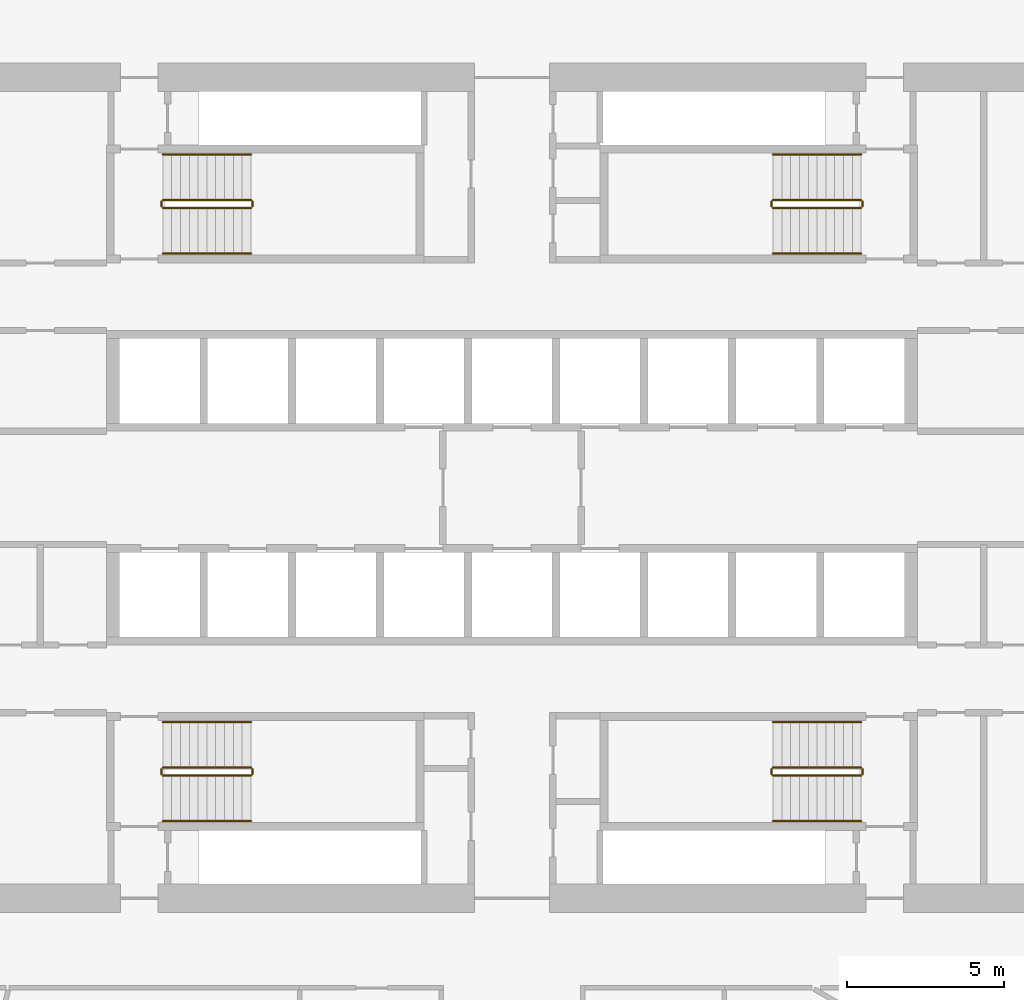
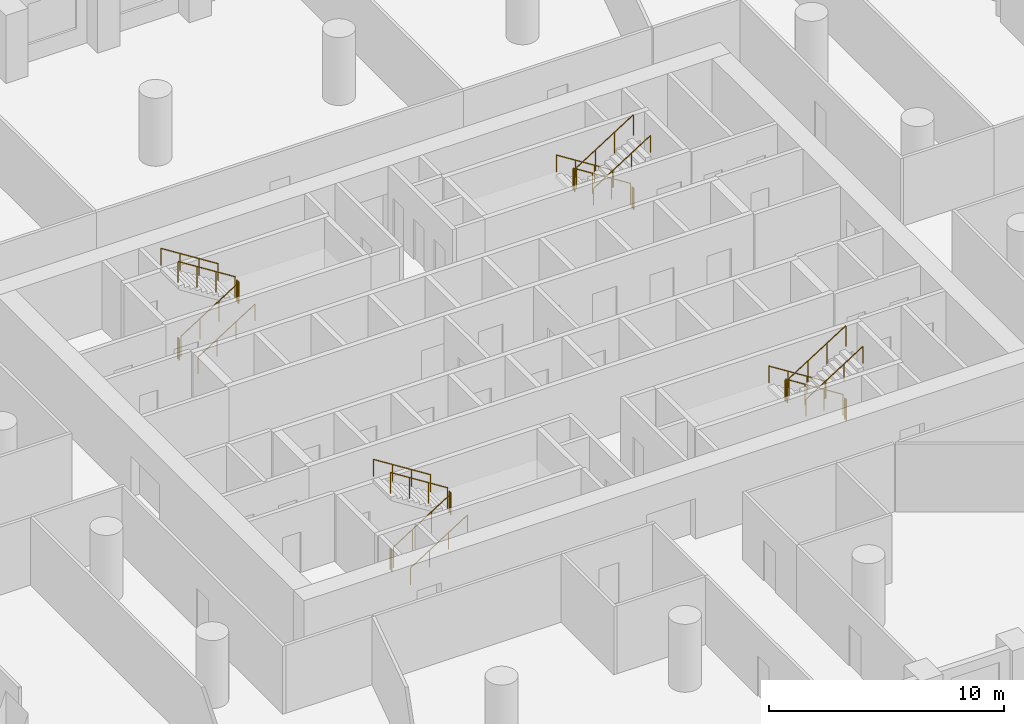
# One storey, part 10 of 10: 24 railings.
"""IFC4 building model written with IfcOpenShell, lengths in metres."""

from ifc_helpers import new_model, si_unit, direction, frame, origin, origin_2d, place, context, subcontext, project, spatial, circle, extrude, material, type_object, element, save


model = new_model("IFC4")

# Units and contexts
model_context = context("Model", 3, precision=1e-05, world=origin(), true_north=direction((0.0, 1.0)))
body_context = subcontext(model_context, "Body", "Model", "MODEL_VIEW")
ifc_project = project(units=[si_unit("LENGTHUNIT", "METRE"), si_unit("AREAUNIT", "SQUARE_METRE"), si_unit("VOLUMEUNIT", "CUBIC_METRE"), si_unit("PLANEANGLEUNIT", "RADIAN"), si_unit("MASSUNIT", "GRAM", prefix="KILO")], contexts=[model_context])

# Site, building, storey
site_placement = place(None, origin())
site = spatial("IfcSite", under=ifc_project, at=site_placement, CompositionType="ELEMENT")
building_placement = place(site_placement, origin())
building = spatial("IfcBuilding", under=site, at=building_placement, Name="Dhurran Vertical Campus", CompositionType="ELEMENT")
storey_placement = place(building_placement, frame((0.0, 0.0, 65.10009765625)))
storey = spatial("IfcBuildingStorey", under=building, at=storey_placement, Name="L15", CompositionType="ELEMENT", Elevation=65.10009765625)

# Railings
ifc_material_1 = material(Name="Stainless steel balustrade", Category="steel")
railing_type_1 = type_object("IfcRailingType", Name="co-RL-GUARD-1100", PredefinedType="GUARDRAIL", material=ifc_material_1)
railing_1_placement = place(storey_placement, frame((-11.10009765625, 8.89990234375, 0.17724609375)))
element("IfcRailing", 1, at=railing_1_placement, inside=storey, type_object=railing_type_1, Name="L15 ST1 stair guard 1", PredefinedType="GUARDRAIL", context=body_context, shape_type="SweptSolid", body=[
    extrude(circle(Radius=0.02392578125, at=origin_2d()), frame((0.0, 0.0, 1.076171875), z_axis=(0.844908973607, 0.0, 0.534910110503), x_axis=(0.0, 1.0, 0.0)), (0.0, 0.0, 1.0), 3.31396484375),
    extrude(circle(Radius=0.02099609375, at=origin_2d()), origin(), (0.0, 0.0, 1.0), 1.052001953125),
    extrude(circle(Radius=0.02099609375, at=origin_2d()), frame((0.933349609375, 0.0, 0.5908203125)), (0.0, 0.0, 1.0), 1.052001953125),
    extrude(circle(Radius=0.02099609375, at=origin_2d()), frame((1.86669921875, 0.0, 1.181884765625)), (0.0, 0.0, 1.0), 1.052001953125),
    extrude(circle(Radius=0.02099609375, at=origin_2d()), frame((2.800048828125, 0.0, 1.772705078125)), (0.0, 0.0, 1.0), 1.052001953125),
])
railing_2_placement = place(storey_placement, frame((-8.25, 8.949951171875, 1.949951171875)))
element("IfcRailing", 2, at=railing_2_placement, inside=storey, type_object=railing_type_1, Name="L15 ST1 stair guard 2", PredefinedType="GUARDRAIL", context=body_context, shape_type="SweptSolid", body=[
    extrude(circle(Radius=0.02392578125, at=origin_2d()), frame((0.0, 0.0, 1.076171875), z_axis=(0.0, 1.0, 0.0), x_axis=(-1.0, 0.0, 0.0)), (0.0, 0.0, 1.0), 0.150146484375),
    extrude(circle(Radius=0.02099609375, at=origin_2d()), origin(), (0.0, 0.0, 1.0), 1.052001953125),
    extrude(circle(Radius=0.02099609375, at=origin_2d()), frame((0.0, 0.150146484375, 0.0)), (0.0, 0.0, 1.0), 1.052001953125),
])
railing_3_placement = place(storey_placement, frame((-8.300048828125, 9.14990234375, 2.127197265625)))
element("IfcRailing", 3, at=railing_3_placement, inside=storey, type_object=railing_type_1, Name="L15 ST1 stair guard 3", PredefinedType="GUARDRAIL", context=body_context, shape_type="SweptSolid", body=[
    extrude(circle(Radius=0.02392578125, at=origin_2d()), frame((0.0, 0.0, 1.076171875), z_axis=(-0.844908973607, 0.0, 0.534910110503), x_axis=(0.0, -1.0, 0.0)), (0.0, 0.0, 1.0), 3.31396484375),
    extrude(circle(Radius=0.02099609375, at=origin_2d()), origin(), (0.0, 0.0, 1.0), 1.052001953125),
    extrude(circle(Radius=0.02099609375, at=origin_2d()), frame((-0.933349609375, 0.0, 0.5908203125)), (0.0, 0.0, 1.0), 1.052001953125),
    extrude(circle(Radius=0.02099609375, at=origin_2d()), frame((-1.86669921875, 0.0, 1.181884765625)), (0.0, 0.0, 1.0), 1.052001953125),
    extrude(circle(Radius=0.02099609375, at=origin_2d()), frame((-2.800048828125, 0.0, 1.772705078125)), (0.0, 0.0, 1.0), 1.052001953125),
])
railing_4_placement = place(storey_placement, frame((-11.14990234375, 8.949951171875, 0.0)))
element("IfcRailing", 4, at=railing_4_placement, inside=storey, type_object=railing_type_1, Name="L15 ST1 stair guard 4", PredefinedType="GUARDRAIL", context=body_context, shape_type="SweptSolid", body=[
    extrude(circle(Radius=0.02392578125, at=origin_2d()), frame((0.0, 0.0, 1.076171875), z_axis=(0.0, 1.0, 0.0), x_axis=(-1.0, 0.0, 0.0)), (0.0, 0.0, 1.0), 0.150146484375),
    extrude(circle(Radius=0.02099609375, at=origin_2d()), origin(), (0.0, 0.0, 1.0), 1.052001953125),
    extrude(circle(Radius=0.02099609375, at=origin_2d()), frame((0.0, 0.150146484375, 0.0)), (0.0, 0.0, 1.0), 1.052001953125),
])
railing_5_placement = place(storey_placement, frame((11.10009765625, 9.14990234375, 0.17724609375)))
element("IfcRailing", 5, at=railing_5_placement, inside=storey, type_object=railing_type_1, Name="L15 ST2 stair guard 1", PredefinedType="GUARDRAIL", context=body_context, shape_type="SweptSolid", body=[
    extrude(circle(Radius=0.02392578125, at=origin_2d()), frame((0.0, 0.0, 1.076171875), z_axis=(-0.844908973607, 0.0, 0.534910110503), x_axis=(0.0, -1.0, 0.0)), (0.0, 0.0, 1.0), 3.31396484375),
    extrude(circle(Radius=0.02099609375, at=origin_2d()), origin(), (0.0, 0.0, 1.0), 1.052001953125),
    extrude(circle(Radius=0.02099609375, at=origin_2d()), frame((-0.933349609375, 0.0, 0.5908203125)), (0.0, 0.0, 1.0), 1.052001953125),
    extrude(circle(Radius=0.02099609375, at=origin_2d()), frame((-1.86669921875, 0.0, 1.181884765625)), (0.0, 0.0, 1.0), 1.052001953125),
    extrude(circle(Radius=0.02099609375, at=origin_2d()), frame((-2.800048828125, 0.0, 1.772705078125)), (0.0, 0.0, 1.0), 1.052001953125),
])
railing_6_placement = place(storey_placement, frame((8.25, 9.10009765625, 1.949951171875)))
element("IfcRailing", 6, at=railing_6_placement, inside=storey, type_object=railing_type_1, Name="L15 ST2 stair guard 2", PredefinedType="GUARDRAIL", context=body_context, shape_type="SweptSolid", body=[
    extrude(circle(Radius=0.02392578125, at=origin_2d()), frame((0.0, 0.0, 1.076171875), z_axis=(0.0, -1.0, 0.0), x_axis=(1.0, 0.0, 0.0)), (0.0, 0.0, 1.0), 0.150146484375),
    extrude(circle(Radius=0.02099609375, at=origin_2d()), origin(), (0.0, 0.0, 1.0), 1.052001953125),
    extrude(circle(Radius=0.02099609375, at=origin_2d()), frame((0.0, -0.150146484375, 0.0)), (0.0, 0.0, 1.0), 1.052001953125),
])
railing_7_placement = place(storey_placement, frame((8.300048828125, 8.89990234375, 2.127197265625)))
element("IfcRailing", 7, at=railing_7_placement, inside=storey, type_object=railing_type_1, Name="L15 ST2 stair guard 3", PredefinedType="GUARDRAIL", context=body_context, shape_type="SweptSolid", body=[
    extrude(circle(Radius=0.02392578125, at=origin_2d()), frame((0.0, 0.0, 1.076171875), z_axis=(0.844908973607, 0.0, 0.534910110503), x_axis=(0.0, 1.0, 0.0)), (0.0, 0.0, 1.0), 3.31396484375),
    extrude(circle(Radius=0.02099609375, at=origin_2d()), origin(), (0.0, 0.0, 1.0), 1.052001953125),
    extrude(circle(Radius=0.02099609375, at=origin_2d()), frame((0.933349609375, 0.0, 0.5908203125)), (0.0, 0.0, 1.0), 1.052001953125),
    extrude(circle(Radius=0.02099609375, at=origin_2d()), frame((1.86669921875, 0.0, 1.181884765625)), (0.0, 0.0, 1.0), 1.052001953125),
    extrude(circle(Radius=0.02099609375, at=origin_2d()), frame((2.800048828125, 0.0, 1.772705078125)), (0.0, 0.0, 1.0), 1.052001953125),
])
railing_8_placement = place(storey_placement, frame((11.14990234375, 9.10009765625, 0.0)))
element("IfcRailing", 8, at=railing_8_placement, inside=storey, type_object=railing_type_1, Name="L15 ST2 stair guard 4", PredefinedType="GUARDRAIL", context=body_context, shape_type="SweptSolid", body=[
    extrude(circle(Radius=0.02392578125, at=origin_2d()), frame((0.0, 0.0, 1.076171875), z_axis=(0.0, -1.0, 0.0), x_axis=(1.0, 0.0, 0.0)), (0.0, 0.0, 1.0), 0.150146484375),
    extrude(circle(Radius=0.02099609375, at=origin_2d()), origin(), (0.0, 0.0, 1.0), 1.052001953125),
    extrude(circle(Radius=0.02099609375, at=origin_2d()), frame((0.0, -0.150146484375, 0.0)), (0.0, 0.0, 1.0), 1.052001953125),
])
railing_9_placement = place(storey_placement, frame((-11.10009765625, -9.14990234375, 0.17724609375)))
element("IfcRailing", 9, at=railing_9_placement, inside=storey, type_object=railing_type_1, Name="L15 ST3 stair guard 1", PredefinedType="GUARDRAIL", context=body_context, shape_type="SweptSolid", body=[
    extrude(circle(Radius=0.02392578125, at=origin_2d()), frame((0.0, 0.0, 1.076171875), z_axis=(0.844908973607, 0.0, 0.534910110503), x_axis=(0.0, 1.0, 0.0)), (0.0, 0.0, 1.0), 3.31396484375),
    extrude(circle(Radius=0.02099609375, at=origin_2d()), origin(), (0.0, 0.0, 1.0), 1.052001953125),
    extrude(circle(Radius=0.02099609375, at=origin_2d()), frame((0.933349609375, 0.0, 0.5908203125)), (0.0, 0.0, 1.0), 1.052001953125),
    extrude(circle(Radius=0.02099609375, at=origin_2d()), frame((1.86669921875, 0.0, 1.181884765625)), (0.0, 0.0, 1.0), 1.052001953125),
    extrude(circle(Radius=0.02099609375, at=origin_2d()), frame((2.800048828125, 0.0, 1.772705078125)), (0.0, 0.0, 1.0), 1.052001953125),
])
railing_10_placement = place(storey_placement, frame((-8.25, -9.10009765625, 1.949951171875)))
element("IfcRailing", 10, at=railing_10_placement, inside=storey, type_object=railing_type_1, Name="L15 ST3 stair guard 2", PredefinedType="GUARDRAIL", context=body_context, shape_type="SweptSolid", body=[
    extrude(circle(Radius=0.02392578125, at=origin_2d()), frame((0.0, 0.0, 1.076171875), z_axis=(0.0, 1.0, 0.0), x_axis=(-1.0, 0.0, 0.0)), (0.0, 0.0, 1.0), 0.150146484375),
    extrude(circle(Radius=0.02099609375, at=origin_2d()), origin(), (0.0, 0.0, 1.0), 1.052001953125),
    extrude(circle(Radius=0.02099609375, at=origin_2d()), frame((0.0, 0.150146484375, 0.0)), (0.0, 0.0, 1.0), 1.052001953125),
])
railing_11_placement = place(storey_placement, frame((-8.300048828125, -8.89990234375, 2.127197265625)))
element("IfcRailing", 11, at=railing_11_placement, inside=storey, type_object=railing_type_1, Name="L15 ST3 stair guard 3", PredefinedType="GUARDRAIL", context=body_context, shape_type="SweptSolid", body=[
    extrude(circle(Radius=0.02392578125, at=origin_2d()), frame((0.0, 0.0, 1.076171875), z_axis=(-0.844908973607, 0.0, 0.534910110503), x_axis=(0.0, -1.0, 0.0)), (0.0, 0.0, 1.0), 3.31396484375),
    extrude(circle(Radius=0.02099609375, at=origin_2d()), origin(), (0.0, 0.0, 1.0), 1.052001953125),
    extrude(circle(Radius=0.02099609375, at=origin_2d()), frame((-0.933349609375, 0.0, 0.5908203125)), (0.0, 0.0, 1.0), 1.052001953125),
    extrude(circle(Radius=0.02099609375, at=origin_2d()), frame((-1.86669921875, 0.0, 1.181884765625)), (0.0, 0.0, 1.0), 1.052001953125),
    extrude(circle(Radius=0.02099609375, at=origin_2d()), frame((-2.800048828125, 0.0, 1.772705078125)), (0.0, 0.0, 1.0), 1.052001953125),
])
railing_12_placement = place(storey_placement, frame((-11.14990234375, -9.10009765625, 0.0)))
element("IfcRailing", 12, at=railing_12_placement, inside=storey, type_object=railing_type_1, Name="L15 ST3 stair guard 4", PredefinedType="GUARDRAIL", context=body_context, shape_type="SweptSolid", body=[
    extrude(circle(Radius=0.02392578125, at=origin_2d()), frame((0.0, 0.0, 1.076171875), z_axis=(0.0, 1.0, 0.0), x_axis=(-1.0, 0.0, 0.0)), (0.0, 0.0, 1.0), 0.150146484375),
    extrude(circle(Radius=0.02099609375, at=origin_2d()), origin(), (0.0, 0.0, 1.0), 1.052001953125),
    extrude(circle(Radius=0.02099609375, at=origin_2d()), frame((0.0, 0.150146484375, 0.0)), (0.0, 0.0, 1.0), 1.052001953125),
])
railing_13_placement = place(storey_placement, frame((11.10009765625, -8.89990234375, 0.17724609375)))
element("IfcRailing", 13, at=railing_13_placement, inside=storey, type_object=railing_type_1, Name="L15 ST4 stair guard 1", PredefinedType="GUARDRAIL", context=body_context, shape_type="SweptSolid", body=[
    extrude(circle(Radius=0.02392578125, at=origin_2d()), frame((0.0, 0.0, 1.076171875), z_axis=(-0.844908973607, 0.0, 0.534910110503), x_axis=(0.0, -1.0, 0.0)), (0.0, 0.0, 1.0), 3.31396484375),
    extrude(circle(Radius=0.02099609375, at=origin_2d()), origin(), (0.0, 0.0, 1.0), 1.052001953125),
    extrude(circle(Radius=0.02099609375, at=origin_2d()), frame((-0.933349609375, 0.0, 0.5908203125)), (0.0, 0.0, 1.0), 1.052001953125),
    extrude(circle(Radius=0.02099609375, at=origin_2d()), frame((-1.86669921875, 0.0, 1.181884765625)), (0.0, 0.0, 1.0), 1.052001953125),
    extrude(circle(Radius=0.02099609375, at=origin_2d()), frame((-2.800048828125, 0.0, 1.772705078125)), (0.0, 0.0, 1.0), 1.052001953125),
])
railing_14_placement = place(storey_placement, frame((8.25, -8.949951171875, 1.949951171875)))
element("IfcRailing", 14, at=railing_14_placement, inside=storey, type_object=railing_type_1, Name="L15 ST4 stair guard 2", PredefinedType="GUARDRAIL", context=body_context, shape_type="SweptSolid", body=[
    extrude(circle(Radius=0.02392578125, at=origin_2d()), frame((0.0, 0.0, 1.076171875), z_axis=(0.0, -1.0, 0.0), x_axis=(1.0, 0.0, 0.0)), (0.0, 0.0, 1.0), 0.150146484375),
    extrude(circle(Radius=0.02099609375, at=origin_2d()), origin(), (0.0, 0.0, 1.0), 1.052001953125),
    extrude(circle(Radius=0.02099609375, at=origin_2d()), frame((0.0, -0.150146484375, 0.0)), (0.0, 0.0, 1.0), 1.052001953125),
])
railing_15_placement = place(storey_placement, frame((8.300048828125, -9.14990234375, 2.127197265625)))
element("IfcRailing", 15, at=railing_15_placement, inside=storey, type_object=railing_type_1, Name="L15 ST4 stair guard 3", PredefinedType="GUARDRAIL", context=body_context, shape_type="SweptSolid", body=[
    extrude(circle(Radius=0.02392578125, at=origin_2d()), frame((0.0, 0.0, 1.076171875), z_axis=(0.844908973607, 0.0, 0.534910110503), x_axis=(0.0, 1.0, 0.0)), (0.0, 0.0, 1.0), 3.31396484375),
    extrude(circle(Radius=0.02099609375, at=origin_2d()), origin(), (0.0, 0.0, 1.0), 1.052001953125),
    extrude(circle(Radius=0.02099609375, at=origin_2d()), frame((0.933349609375, 0.0, 0.5908203125)), (0.0, 0.0, 1.0), 1.052001953125),
    extrude(circle(Radius=0.02099609375, at=origin_2d()), frame((1.86669921875, 0.0, 1.181884765625)), (0.0, 0.0, 1.0), 1.052001953125),
    extrude(circle(Radius=0.02099609375, at=origin_2d()), frame((2.800048828125, 0.0, 1.772705078125)), (0.0, 0.0, 1.0), 1.052001953125),
])
railing_16_placement = place(storey_placement, frame((11.14990234375, -8.949951171875, 0.0)))
element("IfcRailing", 16, at=railing_16_placement, inside=storey, type_object=railing_type_1, Name="L15 ST4 stair guard 4", PredefinedType="GUARDRAIL", context=body_context, shape_type="SweptSolid", body=[
    extrude(circle(Radius=0.02392578125, at=origin_2d()), frame((0.0, 0.0, 1.076171875), z_axis=(0.0, -1.0, 0.0), x_axis=(1.0, 0.0, 0.0)), (0.0, 0.0, 1.0), 0.150146484375),
    extrude(circle(Radius=0.02099609375, at=origin_2d()), origin(), (0.0, 0.0, 1.0), 1.052001953125),
    extrude(circle(Radius=0.02099609375, at=origin_2d()), frame((0.0, -0.150146484375, 0.0)), (0.0, 0.0, 1.0), 1.052001953125),
])
ifc_material_2 = material(Name="Stainless steel handrail", Category="steel")
railing_type_2 = type_object("IfcRailingType", Name="co-RL-HANDRAIL-900", PredefinedType="HANDRAIL", material=ifc_material_2)
railing_17_placement = place(storey_placement, frame((-11.10009765625, 7.449951171875, 0.17724609375)))
element("IfcRailing", 17, at=railing_17_placement, inside=storey, type_object=railing_type_2, Name="L15 ST1 stair handrail 1", PredefinedType="HANDRAIL", context=body_context, shape_type="SweptSolid", body=[
    extrude(circle(Radius=0.02392578125, at=origin_2d()), frame((0.0, 0.0, 0.8759765625), z_axis=(0.844908973607, 0.0, 0.534910110503), x_axis=(0.0, 1.0, 0.0)), (0.0, 0.0, 1.0), 3.31396484375),
    extrude(circle(Radius=0.02099609375, at=origin_2d()), origin(), (0.0, 0.0, 1.0), 0.851806640625),
    extrude(circle(Radius=0.02099609375, at=origin_2d()), frame((0.933349609375, 0.0, 0.5908203125)), (0.0, 0.0, 1.0), 0.851806640625),
    extrude(circle(Radius=0.02099609375, at=origin_2d()), frame((1.86669921875, 0.0, 1.181884765625)), (0.0, 0.0, 1.0), 0.851806640625),
    extrude(circle(Radius=0.02099609375, at=origin_2d()), frame((2.800048828125, 0.0, 1.772705078125)), (0.0, 0.0, 1.0), 0.851806640625),
])
for number, where, name in (
    (18, (-8.300048828125, 10.60009765625, 2.127197265625), "L15 ST1 stair handrail 2"),
    (19, (11.10009765625, 10.60009765625, 0.17724609375), "L15 ST2 stair handrail 1"),
):
    element("IfcRailing", number, at=place(storey_placement, frame(where)), inside=storey, type_object=railing_type_2, Name=name, PredefinedType="HANDRAIL", context=body_context, shape_type="SweptSolid", body=[
        extrude(circle(Radius=0.02392578125, at=origin_2d()), frame((0.0, 0.0, 0.8759765625), z_axis=(-0.844908973607, 0.0, 0.534910110503), x_axis=(0.0, -1.0, 0.0)), (0.0, 0.0, 1.0), 3.31396484375),
        extrude(circle(Radius=0.02099609375, at=origin_2d()), origin(), (0.0, 0.0, 1.0), 0.851806640625),
        extrude(circle(Radius=0.02099609375, at=origin_2d()), frame((-0.933349609375, 0.0, 0.5908203125)), (0.0, 0.0, 1.0), 0.851806640625),
        extrude(circle(Radius=0.02099609375, at=origin_2d()), frame((-1.86669921875, 0.0, 1.181884765625)), (0.0, 0.0, 1.0), 0.851806640625),
        extrude(circle(Radius=0.02099609375, at=origin_2d()), frame((-2.800048828125, 0.0, 1.772705078125)), (0.0, 0.0, 1.0), 0.851806640625),
    ])
for number, where, name in (
    (20, (8.300048828125, 7.449951171875, 2.127197265625), "L15 ST2 stair handrail 2"),
    (21, (-11.10009765625, -10.60009765625, 0.17724609375), "L15 ST3 stair handrail 1"),
):
    element("IfcRailing", number, at=place(storey_placement, frame(where)), inside=storey, type_object=railing_type_2, Name=name, PredefinedType="HANDRAIL", context=body_context, shape_type="SweptSolid", body=[
        extrude(circle(Radius=0.02392578125, at=origin_2d()), frame((0.0, 0.0, 0.8759765625), z_axis=(0.844908973607, 0.0, 0.534910110503), x_axis=(0.0, 1.0, 0.0)), (0.0, 0.0, 1.0), 3.31396484375),
        extrude(circle(Radius=0.02099609375, at=origin_2d()), origin(), (0.0, 0.0, 1.0), 0.851806640625),
        extrude(circle(Radius=0.02099609375, at=origin_2d()), frame((0.933349609375, 0.0, 0.5908203125)), (0.0, 0.0, 1.0), 0.851806640625),
        extrude(circle(Radius=0.02099609375, at=origin_2d()), frame((1.86669921875, 0.0, 1.181884765625)), (0.0, 0.0, 1.0), 0.851806640625),
        extrude(circle(Radius=0.02099609375, at=origin_2d()), frame((2.800048828125, 0.0, 1.772705078125)), (0.0, 0.0, 1.0), 0.851806640625),
    ])
for number, where, name in (
    (22, (-8.300048828125, -7.449951171875, 2.127197265625), "L15 ST3 stair handrail 2"),
    (23, (11.10009765625, -7.449951171875, 0.17724609375), "L15 ST4 stair handrail 1"),
):
    element("IfcRailing", number, at=place(storey_placement, frame(where)), inside=storey, type_object=railing_type_2, Name=name, PredefinedType="HANDRAIL", context=body_context, shape_type="SweptSolid", body=[
        extrude(circle(Radius=0.02392578125, at=origin_2d()), frame((0.0, 0.0, 0.8759765625), z_axis=(-0.844908973607, 0.0, 0.534910110503), x_axis=(0.0, -1.0, 0.0)), (0.0, 0.0, 1.0), 3.31396484375),
        extrude(circle(Radius=0.02099609375, at=origin_2d()), origin(), (0.0, 0.0, 1.0), 0.851806640625),
        extrude(circle(Radius=0.02099609375, at=origin_2d()), frame((-0.933349609375, 0.0, 0.5908203125)), (0.0, 0.0, 1.0), 0.851806640625),
        extrude(circle(Radius=0.02099609375, at=origin_2d()), frame((-1.86669921875, 0.0, 1.181884765625)), (0.0, 0.0, 1.0), 0.851806640625),
        extrude(circle(Radius=0.02099609375, at=origin_2d()), frame((-2.800048828125, 0.0, 1.772705078125)), (0.0, 0.0, 1.0), 0.851806640625),
    ])
railing_18_placement = place(storey_placement, frame((8.300048828125, -10.60009765625, 2.127197265625)))
element("IfcRailing", 24, at=railing_18_placement, inside=storey, type_object=railing_type_2, Name="L15 ST4 stair handrail 2", PredefinedType="HANDRAIL", context=body_context, shape_type="SweptSolid", body=[
    extrude(circle(Radius=0.02392578125, at=origin_2d()), frame((0.0, 0.0, 0.8759765625), z_axis=(0.844908973607, 0.0, 0.534910110503), x_axis=(0.0, 1.0, 0.0)), (0.0, 0.0, 1.0), 3.31396484375),
    extrude(circle(Radius=0.02099609375, at=origin_2d()), origin(), (0.0, 0.0, 1.0), 0.851806640625),
    extrude(circle(Radius=0.02099609375, at=origin_2d()), frame((0.933349609375, 0.0, 0.5908203125)), (0.0, 0.0, 1.0), 0.851806640625),
    extrude(circle(Radius=0.02099609375, at=origin_2d()), frame((1.86669921875, 0.0, 1.181884765625)), (0.0, 0.0, 1.0), 0.851806640625),
    extrude(circle(Radius=0.02099609375, at=origin_2d()), frame((2.800048828125, 0.0, 1.772705078125)), (0.0, 0.0, 1.0), 0.851806640625),
])

save(model, "model.ifc")
